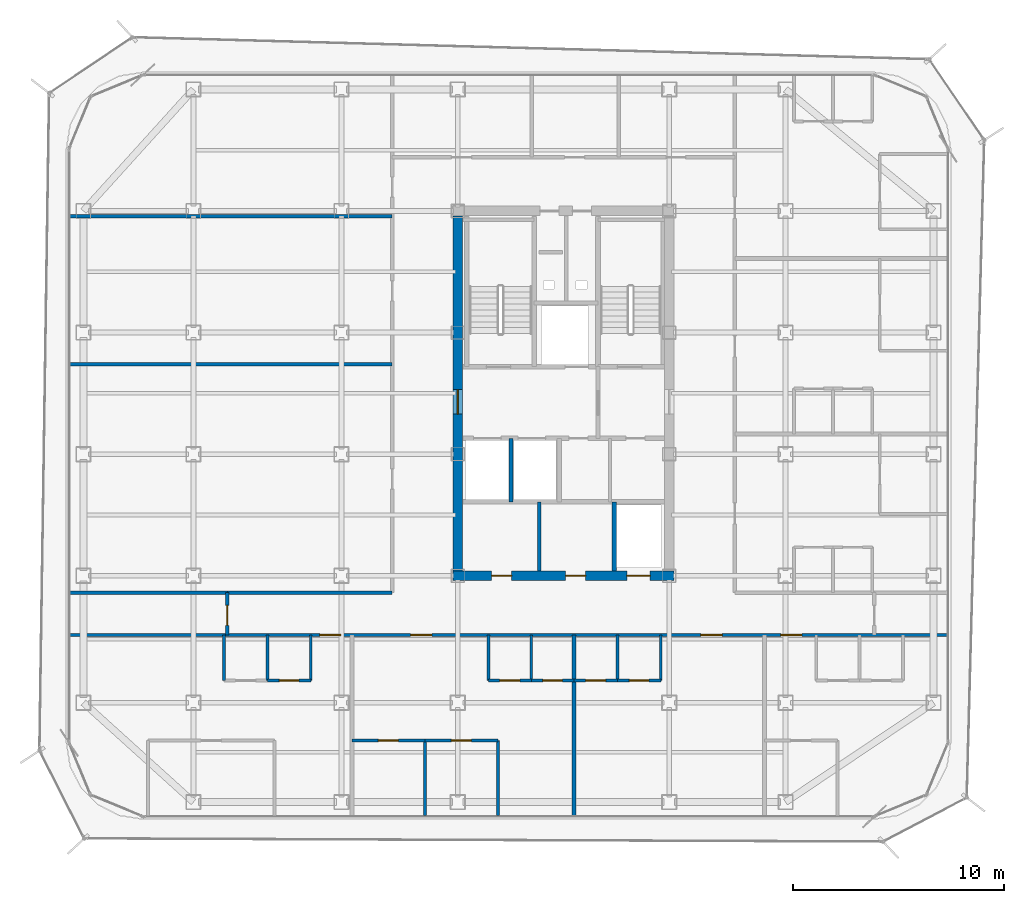
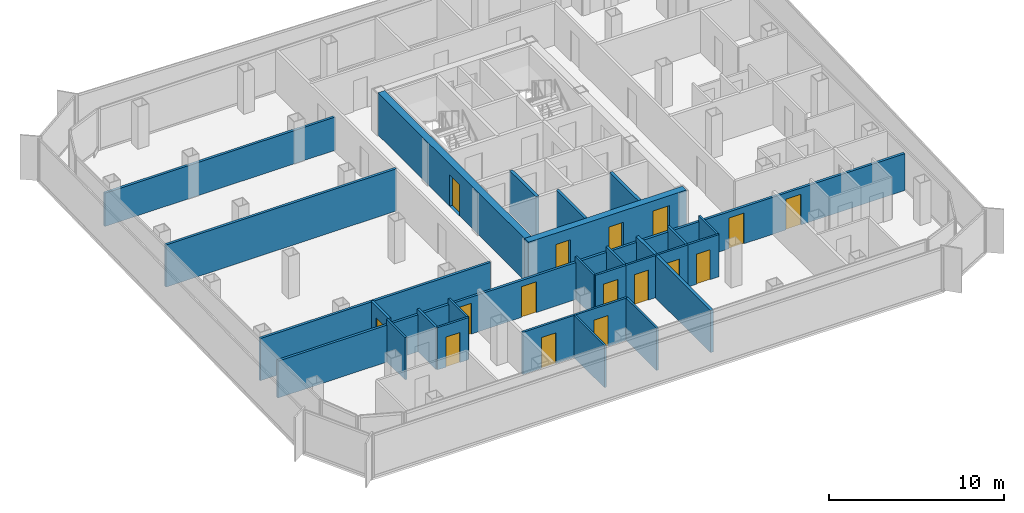
# One storey, part 10 of 16: 28 walls, 16 doors, 16 openings.
"""IFC4 building model written with IfcOpenShell, lengths in metres."""

from ifc_helpers import new_model, si_unit, direction, frame, frame_2d, origin, place, context, subcontext, project, spatial, rectangle, extrude, material, layer, layer_set, type_object, element, fill, save


model = new_model("IFC4")

# Units and contexts
model_context = context("Model", 3, precision=1e-05, world=origin(), true_north=direction((0.0, 1.0)))
body_context = subcontext(model_context, "Body", "Model", "MODEL_VIEW")
ifc_project = project(units=[si_unit("LENGTHUNIT", "METRE"), si_unit("AREAUNIT", "SQUARE_METRE"), si_unit("VOLUMEUNIT", "CUBIC_METRE"), si_unit("PLANEANGLEUNIT", "RADIAN"), si_unit("MASSUNIT", "GRAM", prefix="KILO")], contexts=[model_context])

# Site, building, storey
site_placement = place(None, origin())
site = spatial("IfcSite", under=ifc_project, at=site_placement, CompositionType="ELEMENT")
building_placement = place(site_placement, origin())
building = spatial("IfcBuilding", under=site, at=building_placement, Name="Kolveth Station Tower", CompositionType="ELEMENT")
storey_placement = place(building_placement, frame((0.0, 0.0, 175.300048828125)))
storey = spatial("IfcBuildingStorey", under=building, at=storey_placement, Name="L49", CompositionType="ELEMENT", Elevation=175.300048828125)

# Wall, openings, doors
ifc_material_1 = material(Name="Concrete C50/60", Category="concrete")
ifc_layer_1 = layer(ifc_material_1, 0.449951171875)
ifc_layer_set_1 = layer_set([ifc_layer_1], Name="Concrete C50/60")
wall_type_1 = type_object("IfcWallType", Name="Wall_CW-450", PredefinedType="SHEAR", material=ifc_layer_set_1)
wall_1_placement = place(storey_placement, frame((18.27490234375, 11.5, 0.0), z_axis=(0.0, 0.0, 1.0), x_axis=(1.0, 0.0, 0.0)))
wall_1 = element("IfcWall", 1, at=wall_1_placement, inside=storey, type_object=wall_type_1, Name="L49 Core RC Shear Wall S", PredefinedType="SHEAR", context=body_context, shape_type="SweptSolid", body=[
    extrude(rectangle(XDim=10.4501953125, YDim=0.449951171875, at=frame_2d((5.22509765625, 0.0))), origin(), (0.0, 0.0, 1.0), 2.949951171875),
])
opening_1_placement = place(wall_1_placement, frame((1.824951171875, 0.0, 0.0)))
opening_1 = element("IfcOpeningElement", 2, at=opening_1_placement, cuts=wall_1, Name="Opening ID1", PredefinedType="OPENING", context=body_context, shape_type="SweptSolid", body=[
    extrude(rectangle(XDim=0.949951171875, YDim=2.14990234375, at=frame_2d((0.47509765625, 1.074951171875))), frame((0.0, 0.23486328125, 0.0), z_axis=(0.0, -1.0, 0.0), x_axis=(1.0, 0.0, 0.0)), (0.0, 0.0, 1.0), 0.469970703125),
])
opening_2_placement = place(wall_1_placement, frame((5.324951171875, 0.0, 0.0)))
opening_2 = element("IfcOpeningElement", 3, at=opening_2_placement, cuts=wall_1, Name="Opening ID1", PredefinedType="OPENING", context=body_context, shape_type="SweptSolid", body=[
    extrude(rectangle(XDim=0.949951171875, YDim=2.14990234375, at=frame_2d((0.47509765625, 1.074951171875))), frame((0.0, 0.23486328125, 0.0), z_axis=(0.0, -1.0, 0.0), x_axis=(1.0, 0.0, 0.0)), (0.0, 0.0, 1.0), 0.469970703125),
])
opening_3_placement = place(wall_1_placement, frame((8.22509765625, 0.0, 0.0)))
opening_3 = element("IfcOpeningElement", 4, at=opening_3_placement, cuts=wall_1, Name="Opening LD1", PredefinedType="OPENING", context=body_context, shape_type="SweptSolid", body=[
    extrude(rectangle(XDim=1.10009765625, YDim=2.25, at=frame_2d((0.550048828125, 1.125))), frame((0.0, 0.23486328125, 0.0), z_axis=(0.0, -1.0, 0.0), x_axis=(1.0, 0.0, 0.0)), (0.0, 0.0, 1.0), 0.469970703125),
])
ifc_material_2 = material(Name="Acoustic hardwood leaf and aluminium frame", Category="wood")
door_type_1 = type_object("IfcDoorType", Name="Door_ID1", OperationType="NOTDEFINED", PredefinedType="DOOR", material=ifc_material_2)
door_1_placement = place(opening_1_placement, frame((0.949951171875, 0.0, 0.0), z_axis=(0.0, 0.0, 1.0), x_axis=(-1.0, 0.0, 0.0)))
door_1 = element("IfcDoor", 5, at=door_1_placement, inside=storey, type_object=door_type_1, Name="L49 Laundry Room Door", OperationType="SINGLE_SWING_RIGHT", OverallHeight=2.14990234375, OverallWidth=0.949951171875, PredefinedType="DOOR", context=body_context, shape_type="SweptSolid", body=[
    extrude(rectangle(XDim=0.949951171875, YDim=2.14990234375, at=frame_2d((0.47509765625, 1.074951171875))), frame((0.0, 0.02490234375, 0.0), z_axis=(0.0, -1.0, 0.0), x_axis=(1.0, 0.0, 0.0)), (0.0, 0.0, 1.0), 0.050048828125),
])
fill(opening_1, door_1)
door_2_placement = place(opening_2_placement, frame((0.949951171875, 0.0, 0.0), z_axis=(0.0, 0.0, 1.0), x_axis=(-1.0, 0.0, 0.0)))
door_2 = element("IfcDoor", 6, at=door_2_placement, inside=storey, type_object=door_type_1, Name="L49 Parcel Room Door", OperationType="SINGLE_SWING_LEFT", OverallHeight=2.14990234375, OverallWidth=0.949951171875, PredefinedType="DOOR", context=body_context, shape_type="SweptSolid", body=[
    extrude(rectangle(XDim=0.949951171875, YDim=2.14990234375, at=frame_2d((0.47509765625, 1.074951171875))), frame((0.0, 0.02490234375, 0.0), z_axis=(0.0, -1.0, 0.0), x_axis=(1.0, 0.0, 0.0)), (0.0, 0.0, 1.0), 0.050048828125),
])
fill(opening_2, door_2)
ifc_material_3 = material(Name="Brushed stainless steel sliding landing doors", Category="steel")
door_type_2 = type_object("IfcDoorType", Name="Door_LD1", OperationType="NOTDEFINED", PredefinedType="DOOR", material=ifc_material_3)
door_3_placement = place(opening_3_placement, frame((1.10009765625, 0.0, 0.0), z_axis=(0.0, 0.0, 1.0), x_axis=(-1.0, 0.0, 0.0)))
door_3 = element("IfcDoor", 7, at=door_3_placement, inside=storey, type_object=door_type_2, Name="L49 Lift PH1 Landing Door", OperationType="DOUBLE_DOOR_SLIDING", OverallHeight=2.25, OverallWidth=1.10009765625, PredefinedType="DOOR", context=body_context, shape_type="SweptSolid", body=[
    extrude(rectangle(XDim=1.10009765625, YDim=2.25, at=frame_2d((0.550048828125, 1.125))), frame((0.0, 0.02490234375, 0.0), z_axis=(0.0, -1.0, 0.0), x_axis=(1.0, 0.0, 0.0)), (0.0, 0.0, 1.0), 0.050048828125),
])
fill(opening_3, door_3)

# Wall, opening, door
wall_2_placement = place(storey_placement, frame((18.5, 11.72509765625, 0.0), z_axis=(0.0, 0.0, 1.0), x_axis=(0.0, 1.0, 0.0)))
wall_2 = element("IfcWall", 8, at=wall_2_placement, inside=storey, type_object=wall_type_1, Name="L49 Core RC Shear Wall W", PredefinedType="SHEAR", context=body_context, shape_type="SweptSolid", body=[
    extrude(rectangle(XDim=16.7998046875, YDim=0.449951171875, at=frame_2d((8.39990234375, 0.0))), origin(), (0.0, 0.0, 1.0), 2.949951171875),
])
opening_4_placement = place(wall_2_placement, frame((7.425048828125, 0.0, 0.0)))
opening_4 = element("IfcOpeningElement", 9, at=opening_4_placement, cuts=wall_2, Name="Opening FD1", PredefinedType="OPENING", context=body_context, shape_type="SweptSolid", body=[
    extrude(rectangle(XDim=1.14990234375, YDim=2.199951171875, at=frame_2d((0.574951171875, 1.10009765625))), frame((0.0, 0.23486328125, 0.0), z_axis=(0.0, -1.0, 0.0), x_axis=(1.0, 0.0, 0.0)), (0.0, 0.0, 1.0), 0.469970703125),
])
ifc_material_4 = material(Name="Fire-rated Steel S355 leaf and frame", Category="steel")
door_type_3 = type_object("IfcDoorType", Name="Door_FD1", OperationType="NOTDEFINED", PredefinedType="DOOR", material=ifc_material_4)
door_4_placement = place(opening_4_placement, frame((1.14990234375, 0.0, 0.0), z_axis=(0.0, 0.0, 1.0), x_axis=(-1.0, 0.0, 0.0)))
door_4 = element("IfcDoor", 10, at=door_4_placement, inside=storey, type_object=door_type_3, Name="L49 West Corridor to Firefighting Lobby Door", OperationType="SINGLE_SWING_RIGHT", OverallHeight=2.199951171875, OverallWidth=1.14990234375, PredefinedType="DOOR", context=body_context, shape_type="SweptSolid", body=[
    extrude(rectangle(XDim=1.14990234375, YDim=2.199951171875, at=frame_2d((0.574951171875, 1.10009765625))), frame((0.0, 0.02490234375, 0.0), z_axis=(0.0, -1.0, 0.0), x_axis=(1.0, 0.0, 0.0)), (0.0, 0.0, 1.0), 0.050048828125),
])
fill(opening_4, door_4)

ifc_material_5 = material(Name="Moisture-resistant gypsum partition")
ifc_layer_2 = layer(ifc_material_5, 0.135009765625)
ifc_layer_set_2 = layer_set([ifc_layer_2], Name="Moisture-resistant gypsum partition")
wall_type_2 = type_object("IfcWallType", Name="Wall_IW-135", PredefinedType="PARTITIONING", material=ifc_layer_set_2)
wall_3_placement = place(storey_placement, frame((9.5, 6.550048828125, 0.0), z_axis=(0.0, 0.0, 1.0), x_axis=(1.0, 0.0, 0.0)))
wall_3 = element("IfcWall", 11, at=wall_3_placement, inside=storey, type_object=wall_type_2, Name="L49 Partition Wall WL-L49-A1-IBHB", PredefinedType="PARTITIONING", context=body_context, shape_type="SweptSolid", body=[
    extrude(rectangle(XDim=2.050048828125, YDim=0.135009765625, at=frame_2d((1.02490234375, 0.0))), origin(), (0.0, 0.0, 1.0), 2.949951171875),
])
opening_5_placement = place(wall_3_placement, frame((0.56494140625, 0.0, 0.0)))
opening_5 = element("IfcOpeningElement", 12, at=opening_5_placement, cuts=wall_3, Name="Opening ID2", PredefinedType="OPENING", context=body_context, shape_type="SweptSolid", body=[
    extrude(rectangle(XDim=0.919921875, YDim=2.10009765625, at=frame_2d((0.4599609375, 1.050048828125))), frame((0.0, 0.077392578125, 0.0), z_axis=(0.0, -1.0, 0.0), x_axis=(1.0, 0.0, 0.0)), (0.0, 0.0, 1.0), 0.155029296875),
])
ifc_material_6 = material(Name="Moisture-resistant hardwood leaf", Category="wood")
door_type_4 = type_object("IfcDoorType", Name="Door_ID2", OperationType="NOTDEFINED", PredefinedType="DOOR", material=ifc_material_6)
door_5_placement = place(opening_5_placement, origin())
door_5 = element("IfcDoor", 13, at=door_5_placement, inside=storey, type_object=door_type_4, Name="Penthouse Flat L49-A1 Bathroom Door", OperationType="SINGLE_SWING_LEFT", OverallHeight=2.10009765625, OverallWidth=0.919921875, PredefinedType="DOOR", context=body_context, shape_type="SweptSolid", body=[
    extrude(rectangle(XDim=0.919921875, YDim=2.10009765625, at=frame_2d((0.4599609375, 1.050048828125))), frame((0.0, 0.02490234375, 0.0), z_axis=(0.0, -1.0, 0.0), x_axis=(1.0, 0.0, 0.0)), (0.0, 0.0, 1.0), 0.050048828125),
])
fill(opening_5, door_5)

# Walls
for number, where, z_axis, x_axis, name in (
    (14, (7.449951171875, 6.550048828125, 0.0), (0.0, 0.0, 1.0), (0.0, 1.0, 0.0), "L49 Partition Wall WL-L49-A1-IBV0"),
    (15, (9.5, 6.550048828125, 0.0), (0.0, 0.0, 1.0), (0.0, 1.0, 0.0), "L49 Partition Wall WL-L49-A1-IBV1"),
    (16, (11.550048828125, 6.550048828125, 0.0), (0.0, 0.0, 1.0), (0.0, 1.0, 0.0), "L49 Partition Wall WL-L49-A1-IBV2"),
):
    element("IfcWall", number, at=place(storey_placement, frame(where, z_axis=z_axis, x_axis=x_axis)), inside=storey, type_object=wall_type_2, Name=name, PredefinedType="PARTITIONING", context=body_context, shape_type="SweptSolid", body=[
        extrude(rectangle(XDim=2.14990234375, YDim=0.135009765625, at=frame_2d((1.074951171875, 0.0))), origin(), (0.0, 0.0, 1.0), 2.949951171875),
    ])

# Wall, opening, door
wall_4_placement = place(storey_placement, frame((19.949951171875, 6.550048828125, 0.0), z_axis=(0.0, 0.0, 1.0), x_axis=(1.0, 0.0, 0.0)))
wall_4 = element("IfcWall", 17, at=wall_4_placement, inside=storey, type_object=wall_type_2, Name="L49 Partition Wall WL-L49-A2-IBHK", PredefinedType="PARTITIONING", context=body_context, shape_type="SweptSolid", body=[
    extrude(rectangle(XDim=2.025146484375, YDim=0.135009765625, at=frame_2d((1.0126953125, 0.0))), origin(), (0.0, 0.0, 1.0), 2.949951171875),
])
opening_6_placement = place(wall_4_placement, frame((0.531982421875, 0.0, 0.0)))
opening_6 = element("IfcOpeningElement", 18, at=opening_6_placement, cuts=wall_4, Name="Opening ID1", PredefinedType="OPENING", context=body_context, shape_type="SweptSolid", body=[
    extrude(rectangle(XDim=0.949951171875, YDim=2.14990234375, at=frame_2d((0.47509765625, 1.074951171875))), frame((0.0, 0.077392578125, 0.0), z_axis=(0.0, -1.0, 0.0), x_axis=(1.0, 0.0, 0.0)), (0.0, 0.0, 1.0), 0.155029296875),
])
door_6_placement = place(opening_6_placement, origin())
door_6 = element("IfcDoor", 19, at=door_6_placement, inside=storey, type_object=door_type_1, Name="Flat L49-A2 Kitchen Door", OperationType="SINGLE_SWING_RIGHT", OverallHeight=2.14990234375, OverallWidth=0.949951171875, PredefinedType="DOOR", context=body_context, shape_type="SweptSolid", body=[
    extrude(rectangle(XDim=0.949951171875, YDim=2.14990234375, at=frame_2d((0.47509765625, 1.074951171875))), frame((0.0, 0.02490234375, 0.0), z_axis=(0.0, -1.0, 0.0), x_axis=(1.0, 0.0, 0.0)), (0.0, 0.0, 1.0), 0.050048828125),
])
fill(opening_6, door_6)

wall_5_placement = place(storey_placement, frame((21.97509765625, 6.550048828125, 0.0), z_axis=(0.0, 0.0, 1.0), x_axis=(1.0, 0.0, 0.0)))
wall_5 = element("IfcWall", 20, at=wall_5_placement, inside=storey, type_object=wall_type_2, Name="L49 Partition Wall WL-L49-A2-IBHB", PredefinedType="PARTITIONING", context=body_context, shape_type="SweptSolid", body=[
    extrude(rectangle(XDim=2.02490234375, YDim=0.135009765625, at=frame_2d((1.012451171875, 0.0))), origin(), (0.0, 0.0, 1.0), 2.949951171875),
])
opening_7_placement = place(wall_5_placement, frame((0.552001953125, 0.0, 0.0)))
opening_7 = element("IfcOpeningElement", 21, at=opening_7_placement, cuts=wall_5, Name="Opening ID2", PredefinedType="OPENING", context=body_context, shape_type="SweptSolid", body=[
    extrude(rectangle(XDim=0.919921875, YDim=2.10009765625, at=frame_2d((0.4599609375, 1.050048828125))), frame((0.0, 0.077392578125, 0.0), z_axis=(0.0, -1.0, 0.0), x_axis=(1.0, 0.0, 0.0)), (0.0, 0.0, 1.0), 0.155029296875),
])
door_7_placement = place(opening_7_placement, origin())
door_7 = element("IfcDoor", 22, at=door_7_placement, inside=storey, type_object=door_type_4, Name="Flat L49-A2 Bathroom Door", OperationType="SINGLE_SWING_LEFT", OverallHeight=2.10009765625, OverallWidth=0.919921875, PredefinedType="DOOR", context=body_context, shape_type="SweptSolid", body=[
    extrude(rectangle(XDim=0.919921875, YDim=2.10009765625, at=frame_2d((0.4599609375, 1.050048828125))), frame((0.0, 0.02490234375, 0.0), z_axis=(0.0, -1.0, 0.0), x_axis=(1.0, 0.0, 0.0)), (0.0, 0.0, 1.0), 0.050048828125),
])
fill(opening_7, door_7)

# Walls
for number, where, z_axis, x_axis, name in (
    (23, (19.949951171875, 6.550048828125, 0.0), (0.0, 0.0, 1.0), (0.0, 1.0, 0.0), "L49 Partition Wall WL-L49-A2-IBV0"),
    (24, (21.97509765625, 6.550048828125, 0.0), (0.0, 0.0, 1.0), (0.0, 1.0, 0.0), "L49 Partition Wall WL-L49-A2-IBV1"),
):
    element("IfcWall", number, at=place(storey_placement, frame(where, z_axis=z_axis, x_axis=x_axis)), inside=storey, type_object=wall_type_2, Name=name, PredefinedType="PARTITIONING", context=body_context, shape_type="SweptSolid", body=[
        extrude(rectangle(XDim=2.14990234375, YDim=0.135009765625, at=frame_2d((1.074951171875, 0.0))), origin(), (0.0, 0.0, 1.0), 2.949951171875),
    ])
wall_6_placement = place(storey_placement, frame((20.39990234375, 0.159912109375, 0.0), z_axis=(0.0, 0.0, 1.0), x_axis=(0.0, 1.0, 0.0)))
element("IfcWall", 25, at=wall_6_placement, inside=storey, type_object=wall_type_2, Name="L49 Partition Wall WL-L49-A2-BDVE", PredefinedType="PARTITIONING", context=body_context, shape_type="SweptSolid", body=[
    extrude(rectangle(XDim=3.550048828125, YDim=0.135009765625, at=frame_2d((1.77490234375, 0.0))), origin(), (0.0, 0.0, 1.0), 2.949951171875),
])

# Wall, opening, door
wall_7_placement = place(storey_placement, frame((13.5, 3.7099609375, 0.0), z_axis=(0.0, 0.0, 1.0), x_axis=(1.0, 0.0, 0.0)))
wall_7 = element("IfcWall", 26, at=wall_7_placement, inside=storey, type_object=wall_type_2, Name="L49 Partition Wall WL-L49-A2-BDH1", PredefinedType="PARTITIONING", context=body_context, shape_type="SweptSolid", body=[
    extrude(rectangle(XDim=3.449951171875, YDim=0.135009765625, at=frame_2d((1.72509765625, 0.0))), origin(), (0.0, 0.0, 1.0), 2.949951171875),
])
opening_8_placement = place(wall_7_placement, frame((1.2451171875, 0.0, 0.0)))
opening_8 = element("IfcOpeningElement", 27, at=opening_8_placement, cuts=wall_7, Name="Opening ID1", PredefinedType="OPENING", context=body_context, shape_type="SweptSolid", body=[
    extrude(rectangle(XDim=0.949951171875, YDim=2.14990234375, at=frame_2d((0.47509765625, 1.074951171875))), frame((0.0, 0.077392578125, 0.0), z_axis=(0.0, -1.0, 0.0), x_axis=(1.0, 0.0, 0.0)), (0.0, 0.0, 1.0), 0.155029296875),
])
door_8_placement = place(opening_8_placement, frame((0.949951171875, 0.0, 0.0), z_axis=(0.0, 0.0, 1.0), x_axis=(-1.0, 0.0, 0.0)))
door_8 = element("IfcDoor", 28, at=door_8_placement, inside=storey, type_object=door_type_1, Name="Flat L49-A2 Bedroom 1 Door", OperationType="SINGLE_SWING_RIGHT", OverallHeight=2.14990234375, OverallWidth=0.949951171875, PredefinedType="DOOR", context=body_context, shape_type="SweptSolid", body=[
    extrude(rectangle(XDim=0.949951171875, YDim=2.14990234375, at=frame_2d((0.47509765625, 1.074951171875))), frame((0.0, 0.02490234375, 0.0), z_axis=(0.0, -1.0, 0.0), x_axis=(1.0, 0.0, 0.0)), (0.0, 0.0, 1.0), 0.050048828125),
])
fill(opening_8, door_8)

wall_8_placement = place(storey_placement, frame((16.949951171875, 3.7099609375, 0.0), z_axis=(0.0, 0.0, 1.0), x_axis=(1.0, 0.0, 0.0)))
wall_8 = element("IfcWall", 29, at=wall_8_placement, inside=storey, type_object=wall_type_2, Name="L49 Partition Wall WL-L49-A2-BDH2", PredefinedType="PARTITIONING", context=body_context, shape_type="SweptSolid", body=[
    extrude(rectangle(XDim=3.449951171875, YDim=0.135009765625, at=frame_2d((1.72509765625, 0.0))), origin(), (0.0, 0.0, 1.0), 2.949951171875),
])
opening_9_placement = place(wall_8_placement, frame((1.2451171875, 0.0, 0.0)))
opening_9 = element("IfcOpeningElement", 30, at=opening_9_placement, cuts=wall_8, Name="Opening ID1", PredefinedType="OPENING", context=body_context, shape_type="SweptSolid", body=[
    extrude(rectangle(XDim=0.949951171875, YDim=2.14990234375, at=frame_2d((0.47509765625, 1.074951171875))), frame((0.0, 0.077392578125, 0.0), z_axis=(0.0, -1.0, 0.0), x_axis=(1.0, 0.0, 0.0)), (0.0, 0.0, 1.0), 0.155029296875),
])
door_9_placement = place(opening_9_placement, frame((0.949951171875, 0.0, 0.0), z_axis=(0.0, 0.0, 1.0), x_axis=(-1.0, 0.0, 0.0)))
door_9 = element("IfcDoor", 31, at=door_9_placement, inside=storey, type_object=door_type_1, Name="Flat L49-A2 Bedroom 2 Door", OperationType="SINGLE_SWING_LEFT", OverallHeight=2.14990234375, OverallWidth=0.949951171875, PredefinedType="DOOR", context=body_context, shape_type="SweptSolid", body=[
    extrude(rectangle(XDim=0.949951171875, YDim=2.14990234375, at=frame_2d((0.47509765625, 1.074951171875))), frame((0.0, 0.02490234375, 0.0), z_axis=(0.0, -1.0, 0.0), x_axis=(1.0, 0.0, 0.0)), (0.0, 0.0, 1.0), 0.050048828125),
])
fill(opening_9, door_9)

# Wall
wall_9_placement = place(storey_placement, frame((16.949951171875, 0.159912109375, 0.0), z_axis=(0.0, 0.0, 1.0), x_axis=(0.0, 1.0, 0.0)))
element("IfcWall", 32, at=wall_9_placement, inside=storey, type_object=wall_type_2, Name="L49 Partition Wall WL-L49-A2-BDV1", PredefinedType="PARTITIONING", context=body_context, shape_type="SweptSolid", body=[
    extrude(rectangle(XDim=3.550048828125, YDim=0.135009765625, at=frame_2d((1.77490234375, 0.0))), origin(), (0.0, 0.0, 1.0), 2.949951171875),
])

# Wall, opening, door
wall_10_placement = place(storey_placement, frame((24.0, 6.550048828125, 0.0), z_axis=(0.0, 0.0, 1.0), x_axis=(1.0, 0.0, 0.0)))
wall_10 = element("IfcWall", 33, at=wall_10_placement, inside=storey, type_object=wall_type_2, Name="L49 Partition Wall WL-L49-A3-IBHK", PredefinedType="PARTITIONING", context=body_context, shape_type="SweptSolid", body=[
    extrude(rectangle(XDim=2.050048828125, YDim=0.135009765625, at=frame_2d((1.02490234375, 0.0))), origin(), (0.0, 0.0, 1.0), 2.949951171875),
])
opening_10_placement = place(wall_10_placement, frame((0.544921875, 0.0, 0.0)))
opening_10 = element("IfcOpeningElement", 34, at=opening_10_placement, cuts=wall_10, Name="Opening ID1", PredefinedType="OPENING", context=body_context, shape_type="SweptSolid", body=[
    extrude(rectangle(XDim=0.949951171875, YDim=2.14990234375, at=frame_2d((0.47509765625, 1.074951171875))), frame((0.0, 0.077392578125, 0.0), z_axis=(0.0, -1.0, 0.0), x_axis=(1.0, 0.0, 0.0)), (0.0, 0.0, 1.0), 0.155029296875),
])
door_10_placement = place(opening_10_placement, origin())
door_10 = element("IfcDoor", 35, at=door_10_placement, inside=storey, type_object=door_type_1, Name="Flat L49-A3 Kitchen Door", OperationType="SINGLE_SWING_LEFT", OverallHeight=2.14990234375, OverallWidth=0.949951171875, PredefinedType="DOOR", context=body_context, shape_type="SweptSolid", body=[
    extrude(rectangle(XDim=0.949951171875, YDim=2.14990234375, at=frame_2d((0.47509765625, 1.074951171875))), frame((0.0, 0.02490234375, 0.0), z_axis=(0.0, -1.0, 0.0), x_axis=(1.0, 0.0, 0.0)), (0.0, 0.0, 1.0), 0.050048828125),
])
fill(opening_10, door_10)

wall_11_placement = place(storey_placement, frame((26.050048828125, 6.550048828125, 0.0), z_axis=(0.0, 0.0, 1.0), x_axis=(1.0, 0.0, 0.0)))
wall_11 = element("IfcWall", 36, at=wall_11_placement, inside=storey, type_object=wall_type_2, Name="L49 Partition Wall WL-L49-A3-IBHB", PredefinedType="PARTITIONING", context=body_context, shape_type="SweptSolid", body=[
    extrude(rectangle(XDim=2.050048828125, YDim=0.135009765625, at=frame_2d((1.02490234375, 0.0))), origin(), (0.0, 0.0, 1.0), 2.949951171875),
])
opening_11_placement = place(wall_11_placement, frame((0.56494140625, 0.0, 0.0)))
opening_11 = element("IfcOpeningElement", 37, at=opening_11_placement, cuts=wall_11, Name="Opening ID2", PredefinedType="OPENING", context=body_context, shape_type="SweptSolid", body=[
    extrude(rectangle(XDim=0.919921875, YDim=2.10009765625, at=frame_2d((0.4599609375, 1.050048828125))), frame((0.0, 0.077392578125, 0.0), z_axis=(0.0, -1.0, 0.0), x_axis=(1.0, 0.0, 0.0)), (0.0, 0.0, 1.0), 0.155029296875),
])
door_11_placement = place(opening_11_placement, origin())
door_11 = element("IfcDoor", 38, at=door_11_placement, inside=storey, type_object=door_type_4, Name="Flat L49-A3 Bathroom Door", OperationType="SINGLE_SWING_RIGHT", OverallHeight=2.10009765625, OverallWidth=0.919921875, PredefinedType="DOOR", context=body_context, shape_type="SweptSolid", body=[
    extrude(rectangle(XDim=0.919921875, YDim=2.10009765625, at=frame_2d((0.4599609375, 1.050048828125))), frame((0.0, 0.02490234375, 0.0), z_axis=(0.0, -1.0, 0.0), x_axis=(1.0, 0.0, 0.0)), (0.0, 0.0, 1.0), 0.050048828125),
])
fill(opening_11, door_11)

# Walls
for number, where, z_axis, x_axis, name in (
    (39, (26.050048828125, 6.550048828125, 0.0), (0.0, 0.0, 1.0), (0.0, 1.0, 0.0), "L49 Partition Wall WL-L49-A3-IBV1"),
    (40, (28.10009765625, 6.550048828125, 0.0), (0.0, 0.0, 1.0), (0.0, 1.0, 0.0), "L49 Partition Wall WL-L49-A3-IBV2"),
):
    element("IfcWall", number, at=place(storey_placement, frame(where, z_axis=z_axis, x_axis=x_axis)), inside=storey, type_object=wall_type_2, Name=name, PredefinedType="PARTITIONING", context=body_context, shape_type="SweptSolid", body=[
        extrude(rectangle(XDim=2.14990234375, YDim=0.135009765625, at=frame_2d((1.074951171875, 0.0))), origin(), (0.0, 0.0, 1.0), 2.949951171875),
    ])
ifc_material_7 = material(Name="Acoustic double-stud gypsum partition")
ifc_layer_3 = layer(ifc_material_7, 0.1650390625)
ifc_layer_set_3 = layer_set([ifc_layer_3], Name="Acoustic double-stud gypsum partition")
wall_type_3 = type_object("IfcWallType", Name="Wall_IW-165", PredefinedType="PARTITIONING", material=ifc_layer_set_3)
wall_12_placement = place(storey_placement, frame((22.35009765625, 11.735107421875, 0.0), z_axis=(0.0, 0.0, 1.0), x_axis=(0.0, 1.0, 0.0)))
element("IfcWall", 41, at=wall_12_placement, inside=storey, type_object=wall_type_3, Name="L49 Partition Wall WL-L49-FR-M", PredefinedType="PARTITIONING", context=body_context, shape_type="SweptSolid", body=[
    extrude(rectangle(XDim=3.264892578125, YDim=0.1650390625, at=frame_2d((1.63232421875, 0.0))), origin(), (0.0, 0.0, 1.0), 2.949951171875),
])

# Wall, openings, doors
wall_13_placement = place(storey_placement, frame((0.159912109375, 8.699951171875, 0.0), z_axis=(0.0, 0.0, 1.0), x_axis=(1.0, 0.0, 0.0)))
wall_13 = element("IfcWall", 42, at=wall_13_placement, inside=storey, type_object=wall_type_3, Name="L49 Partition Wall WL-L49-RS", PredefinedType="PARTITIONING", context=body_context, shape_type="SweptSolid", body=[
    extrude(rectangle(XDim=41.47998046875, YDim=0.1650390625, at=frame_2d((20.739990234375, 0.0))), origin(), (0.0, 0.0, 1.0), 2.5830078125),
])
opening_12_placement = place(wall_13_placement, frame((11.81494140625, 0.0, 0.0)))
opening_12 = element("IfcOpeningElement", 43, at=opening_12_placement, cuts=wall_13, Name="Opening FD3", PredefinedType="OPENING", context=body_context, shape_type="SweptSolid", body=[
    extrude(rectangle(XDim=1.0, YDim=2.14990234375, at=frame_2d((0.5, 1.074951171875))), frame((0.0, 0.092529296875, 0.0), z_axis=(0.0, -1.0, 0.0), x_axis=(1.0, 0.0, 0.0)), (0.0, 0.0, 1.0), 0.18505859375),
])
opening_13_placement = place(wall_13_placement, frame((16.114990234375, 0.0, 0.0)))
opening_13 = element("IfcOpeningElement", 44, at=opening_13_placement, cuts=wall_13, Name="Opening FD3", PredefinedType="OPENING", context=body_context, shape_type="SweptSolid", body=[
    extrude(rectangle(XDim=1.0, YDim=2.14990234375, at=frame_2d((0.5, 1.074951171875))), frame((0.0, 0.092529296875, 0.0), z_axis=(0.0, -1.0, 0.0), x_axis=(1.0, 0.0, 0.0)), (0.0, 0.0, 1.0), 0.18505859375),
])
opening_14_placement = place(wall_13_placement, frame((29.840087890625, 0.0, 0.0)))
opening_14 = element("IfcOpeningElement", 45, at=opening_14_placement, cuts=wall_13, Name="Opening FD3", PredefinedType="OPENING", context=body_context, shape_type="SweptSolid", body=[
    extrude(rectangle(XDim=1.0, YDim=2.14990234375, at=frame_2d((0.5, 1.074951171875))), frame((0.0, 0.092529296875, 0.0), z_axis=(0.0, -1.0, 0.0), x_axis=(1.0, 0.0, 0.0)), (0.0, 0.0, 1.0), 0.18505859375),
])
opening_15_placement = place(wall_13_placement, frame((33.614990234375, 0.0, 0.0)))
opening_15 = element("IfcOpeningElement", 46, at=opening_15_placement, cuts=wall_13, Name="Opening FD3", PredefinedType="OPENING", context=body_context, shape_type="SweptSolid", body=[
    extrude(rectangle(XDim=1.0, YDim=2.14990234375, at=frame_2d((0.5, 1.074951171875))), frame((0.0, 0.092529296875, 0.0), z_axis=(0.0, -1.0, 0.0), x_axis=(1.0, 0.0, 0.0)), (0.0, 0.0, 1.0), 0.18505859375),
])
ifc_material_8 = material(Name="Fire-rated hardwood leaf and aluminium frame", Category="wood")
door_type_5 = type_object("IfcDoorType", Name="Door_FD3", OperationType="NOTDEFINED", PredefinedType="DOOR", material=ifc_material_8)
door_12_placement = place(opening_12_placement, frame((1.0, 0.0, 0.0), z_axis=(0.0, 0.0, 1.0), x_axis=(-1.0, 0.0, 0.0)))
door_12 = element("IfcDoor", 47, at=door_12_placement, inside=storey, type_object=door_type_5, Name="Penthouse Flat L49-A1 Entrance Door", OperationType="SINGLE_SWING_LEFT", OverallHeight=2.14990234375, OverallWidth=1.0, PredefinedType="DOOR", context=body_context, shape_type="SweptSolid", body=[
    extrude(rectangle(XDim=1.0, YDim=2.14990234375, at=frame_2d((0.5, 1.074951171875))), frame((0.0, 0.02490234375, 0.0), z_axis=(0.0, -1.0, 0.0), x_axis=(1.0, 0.0, 0.0)), (0.0, 0.0, 1.0), 0.050048828125),
])
fill(opening_12, door_12)
door_13_placement = place(opening_13_placement, frame((1.0, 0.0, 0.0), z_axis=(0.0, 0.0, 1.0), x_axis=(-1.0, 0.0, 0.0)))
door_13 = element("IfcDoor", 48, at=door_13_placement, inside=storey, type_object=door_type_5, Name="Flat L49-A2 Entrance Door", OperationType="SINGLE_SWING_RIGHT", OverallHeight=2.14990234375, OverallWidth=1.0, PredefinedType="DOOR", context=body_context, shape_type="SweptSolid", body=[
    extrude(rectangle(XDim=1.0, YDim=2.14990234375, at=frame_2d((0.5, 1.074951171875))), frame((0.0, 0.02490234375, 0.0), z_axis=(0.0, -1.0, 0.0), x_axis=(1.0, 0.0, 0.0)), (0.0, 0.0, 1.0), 0.050048828125),
])
fill(opening_13, door_13)
door_14_placement = place(opening_14_placement, frame((1.0, 0.0, 0.0), z_axis=(0.0, 0.0, 1.0), x_axis=(-1.0, 0.0, 0.0)))
door_14 = element("IfcDoor", 49, at=door_14_placement, inside=storey, type_object=door_type_5, Name="Flat L49-A3 Entrance Door", OperationType="SINGLE_SWING_LEFT", OverallHeight=2.14990234375, OverallWidth=1.0, PredefinedType="DOOR", context=body_context, shape_type="SweptSolid", body=[
    extrude(rectangle(XDim=1.0, YDim=2.14990234375, at=frame_2d((0.5, 1.074951171875))), frame((0.0, 0.02490234375, 0.0), z_axis=(0.0, -1.0, 0.0), x_axis=(1.0, 0.0, 0.0)), (0.0, 0.0, 1.0), 0.050048828125),
])
fill(opening_14, door_14)
door_15_placement = place(opening_15_placement, frame((1.0, 0.0, 0.0), z_axis=(0.0, 0.0, 1.0), x_axis=(-1.0, 0.0, 0.0)))
door_15 = element("IfcDoor", 50, at=door_15_placement, inside=storey, type_object=door_type_5, Name="Flat L49-A4 Entrance Door", OperationType="SINGLE_SWING_LEFT", OverallHeight=2.14990234375, OverallWidth=1.0, PredefinedType="DOOR", context=body_context, shape_type="SweptSolid", body=[
    extrude(rectangle(XDim=1.0, YDim=2.14990234375, at=frame_2d((0.5, 1.074951171875))), frame((0.0, 0.02490234375, 0.0), z_axis=(0.0, -1.0, 0.0), x_axis=(1.0, 0.0, 0.0)), (0.0, 0.0, 1.0), 0.050048828125),
])
fill(opening_15, door_15)

# Wall
wall_14_placement = place(storey_placement, frame((7.60009765625, 10.699951171875, 0.0), z_axis=(0.0, 0.0, 1.0), x_axis=(1.0, 0.0, 0.0)))
element("IfcWall", 51, at=wall_14_placement, inside=storey, type_object=wall_type_3, Name="L49 Partition Wall WL-L49-RSWT", PredefinedType="PARTITIONING", context=body_context, shape_type="SweptSolid", body=[
    extrude(rectangle(XDim=7.7998046875, YDim=0.1650390625, at=frame_2d((3.89990234375, 0.0))), origin(), (0.0, 0.0, 1.0), 2.949951171875),
])

# Wall, opening, door
wall_15_placement = place(storey_placement, frame((7.60009765625, 8.699951171875, 0.0), z_axis=(0.0, 0.0, 1.0), x_axis=(0.0, 1.0, 0.0)))
wall_15 = element("IfcWall", 52, at=wall_15_placement, inside=storey, type_object=wall_type_3, Name="L49 Partition Wall WL-L49-RSWE", PredefinedType="PARTITIONING", context=body_context, shape_type="SweptSolid", body=[
    extrude(rectangle(XDim=2.0, YDim=0.1650390625, at=frame_2d((1.0, 0.0))), origin(), (0.0, 0.0, 1.0), 2.949951171875),
])
opening_16_placement = place(wall_15_placement, frame((0.449951171875, 0.0, 0.0)))
opening_16 = element("IfcOpeningElement", 53, at=opening_16_placement, cuts=wall_15, Name="Opening ID1", PredefinedType="OPENING", context=body_context, shape_type="SweptSolid", body=[
    extrude(rectangle(XDim=0.949951171875, YDim=2.14990234375, at=frame_2d((0.47509765625, 1.074951171875))), frame((0.0, 0.092529296875, 0.0), z_axis=(0.0, -1.0, 0.0), x_axis=(1.0, 0.0, 0.0)), (0.0, 0.0, 1.0), 0.18505859375),
])
door_16_placement = place(opening_16_placement, frame((0.949951171875, 0.0, 0.0), z_axis=(0.0, 0.0, 1.0), x_axis=(-1.0, 0.0, 0.0)))
door_16 = element("IfcDoor", 54, at=door_16_placement, inside=storey, type_object=door_type_1, Name="L49 West Store Door", OperationType="SINGLE_SWING_RIGHT", OverallHeight=2.14990234375, OverallWidth=0.949951171875, PredefinedType="DOOR", context=body_context, shape_type="SweptSolid", body=[
    extrude(rectangle(XDim=0.949951171875, YDim=2.14990234375, at=frame_2d((0.47509765625, 1.074951171875))), frame((0.0, 0.02490234375, 0.0), z_axis=(0.0, -1.0, 0.0), x_axis=(1.0, 0.0, 0.0)), (0.0, 0.0, 1.0), 0.050048828125),
])
fill(opening_16, door_16)

# Walls
wall_16_placement = place(storey_placement, frame((0.159912109375, 10.699951171875, 0.0), z_axis=(0.0, 0.0, 1.0), x_axis=(1.0, 0.0, 0.0)))
element("IfcWall", 55, at=wall_16_placement, inside=storey, type_object=wall_type_3, Name="L49 Partition Wall WL-L49-WSTN", PredefinedType="PARTITIONING", context=body_context, shape_type="SweptSolid", body=[
    extrude(rectangle(XDim=7.440185546875, YDim=0.1650390625, at=frame_2d((3.72021484375, 0.0))), origin(), (0.0, 0.0, 1.0), 2.949951171875),
])
wall_17_placement = place(storey_placement, frame((0.159912109375, 21.5, 0.0), z_axis=(0.0, 0.0, 1.0), x_axis=(1.0, 0.0, 0.0)))
element("IfcWall", 56, at=wall_17_placement, inside=storey, type_object=wall_type_3, Name="L49 Partition Wall WL-L49-RWA-P1", PredefinedType="PARTITIONING", context=body_context, shape_type="SweptSolid", body=[
    extrude(rectangle(XDim=15.239990234375, YDim=0.1650390625, at=frame_2d((7.6201171875, 0.0))), origin(), (0.0, 0.0, 1.0), 2.949951171875),
])
wall_18_placement = place(storey_placement, frame((0.159912109375, 28.5, 0.0), z_axis=(0.0, 0.0, 1.0), x_axis=(1.0, 0.0, 0.0)))
element("IfcWall", 57, at=wall_18_placement, inside=storey, type_object=wall_type_3, Name="L49 Partition Wall WL-L49-RWA-P2", PredefinedType="PARTITIONING", context=body_context, shape_type="SweptSolid", body=[
    extrude(rectangle(XDim=15.239990234375, YDim=0.1650390625, at=frame_2d((7.6201171875, 0.0))), origin(), (0.0, 0.0, 1.0), 2.322998046875),
])
ifc_material_9 = material(Name="Acoustic fire-rated gypsum blockwork", Category="masonry")
ifc_layer_4 = layer(ifc_material_9, 0.199951171875)
ifc_layer_set_4 = layer_set([ifc_layer_4], Name="Acoustic fire-rated gypsum blockwork")
wall_type_4 = type_object("IfcWallType", Name="Wall_IW-200", PredefinedType="PARTITIONING", material=ifc_layer_set_4)
wall_19_placement = place(storey_placement, frame((21.02001953125, 15.0, 0.0), z_axis=(0.0, 0.0, 1.0), x_axis=(0.0, 1.0, 0.0)))
element("IfcWall", 58, at=wall_19_placement, inside=storey, type_object=wall_type_4, Name="L49 Partition Wall WL-L49-FF12", PredefinedType="PARTITIONING", context=body_context, shape_type="SweptSolid", body=[
    extrude(rectangle(XDim=3.0, YDim=0.199951171875, at=frame_2d((1.5, 0.0))), origin(), (0.0, 0.0, 1.0), 2.949951171875),
])
wall_20_placement = place(storey_placement, frame((25.89990234375, 11.735107421875, 0.0), z_axis=(0.0, 0.0, 1.0), x_axis=(0.0, 1.0, 0.0)))
element("IfcWall", 59, at=wall_20_placement, inside=storey, type_object=wall_type_4, Name="L49 Partition Wall WL-L49-PMPH", PredefinedType="PARTITIONING", context=body_context, shape_type="SweptSolid", body=[
    extrude(rectangle(XDim=3.264892578125, YDim=0.199951171875, at=frame_2d((1.63232421875, 0.0))), origin(), (0.0, 0.0, 1.0), 2.949951171875),
])
wall_21_placement = place(storey_placement, frame((24.0, 0.159912109375, 0.0), z_axis=(0.0, 0.0, 1.0), x_axis=(0.0, 1.0, 0.0)))
element("IfcWall", 60, at=wall_21_placement, inside=storey, type_object=wall_type_4, Name="L49 Partition Wall WL-L49-RSU-2", PredefinedType="PARTITIONING", context=body_context, shape_type="SweptSolid", body=[
    extrude(rectangle(XDim=8.5400390625, YDim=0.199951171875, at=frame_2d((4.27001953125, 0.0))), origin(), (0.0, 0.0, 1.0), 2.949951171875),
])

save(model, "model.ifc")
